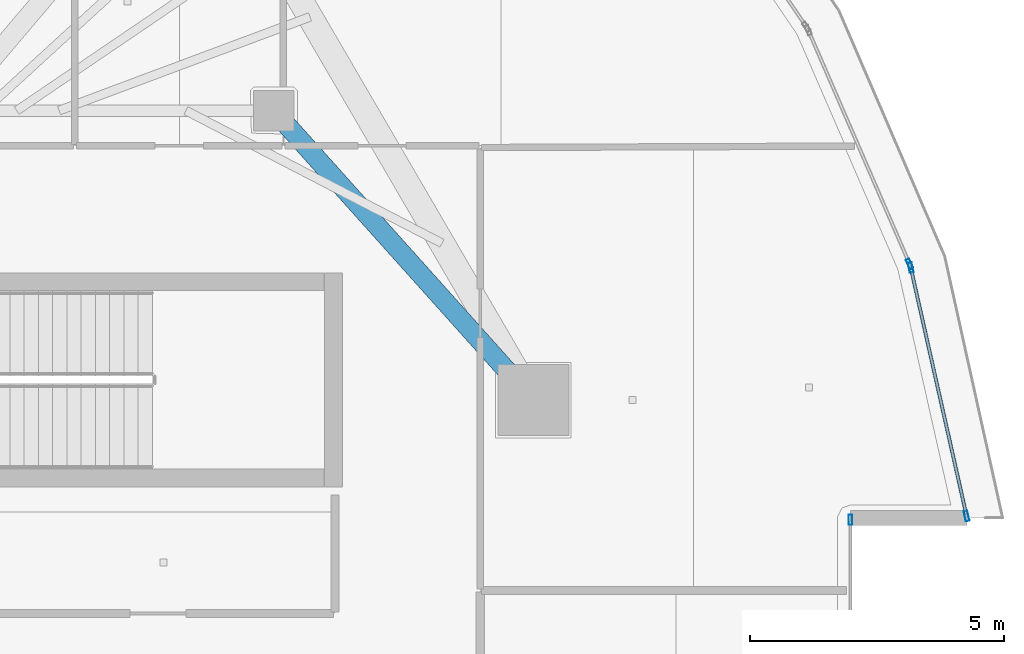
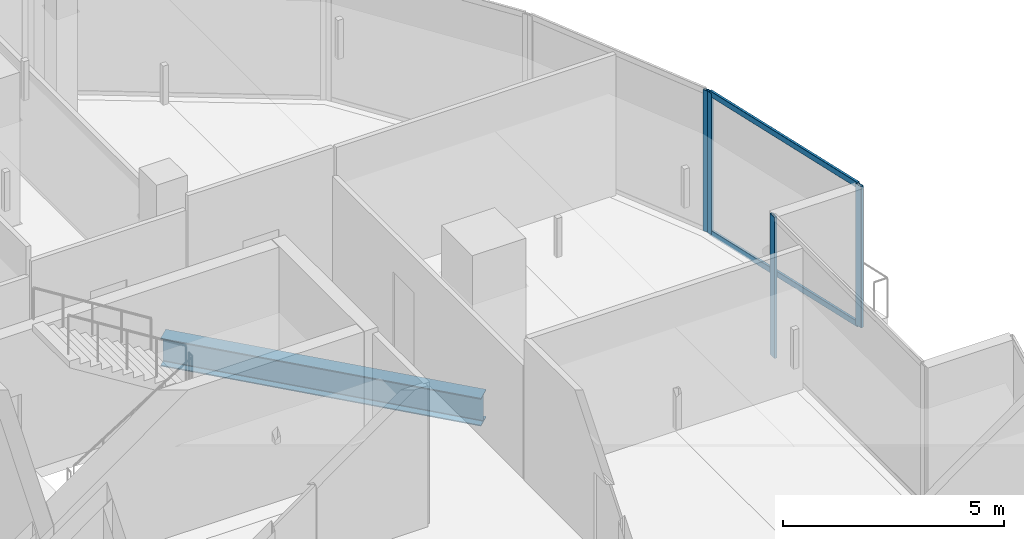
# One storey, part 13 of 30: 6 members, 1 beam, 3 elements without a shape of their own.
"""IFC4 building model written with IfcOpenShell, lengths in metres."""

from ifc_helpers import new_model, si_unit, direction, frame, origin, origin_2d, place, context, subcontext, project, spatial, hollow_rectangle, i_section, extrude, material, layer, layer_set, material_profile, profile_set, type_object, element, aggregate, save


model = new_model("IFC4")

# Units and contexts
model_context = context("Model", 3, precision=1e-05, world=origin(), true_north=direction((0.0, 1.0)))
body_context = subcontext(model_context, "Body", "Model", "MODEL_VIEW")
ifc_project = project(units=[si_unit("LENGTHUNIT", "METRE"), si_unit("AREAUNIT", "SQUARE_METRE"), si_unit("VOLUMEUNIT", "CUBIC_METRE"), si_unit("PLANEANGLEUNIT", "RADIAN"), si_unit("MASSUNIT", "GRAM", prefix="KILO")], contexts=[model_context])

# Site, building, storey
site_placement = place(None, origin())
site = spatial("IfcSite", under=ifc_project, at=site_placement, CompositionType="ELEMENT")
building_placement = place(site_placement, origin())
building = spatial("IfcBuilding", under=site, at=building_placement, Name="Qorvath Tower", CompositionType="ELEMENT")
storey_placement = place(building_placement, frame((0.0, 0.0, 301.800048828125)))
storey = spatial("IfcBuildingStorey", under=building, at=storey_placement, Name="L70", CompositionType="ELEMENT", Elevation=301.800048828125)

# Beam
ifc_material_1 = material(Name="Steel ASTM A992 Grade 50", Category="steel")
ifc_material_profile_1 = material_profile(ifc_material_1, i_section(OverallWidth=0.381103515625, OverallDepth=0.77294921875, WebThickness=0.0166015625, FlangeThickness=0.027099609375, FilletRadius=0.01904296875, at=origin_2d()), Name="W30x173")
ifc_profile_set_1 = profile_set([ifc_material_profile_1], Name="Steel ASTM A992 Grade 50")
beam_type = type_object("IfcBeamType", Name="BM-FG3", PredefinedType="BEAM", material=ifc_profile_set_1)
beam_placement = place(storey_placement, frame((-17.199951171875, 11.449951171875, -0.676513671875), z_axis=(0.667543184261, -0.744571082669, 0.0), x_axis=(0.744571082669, 0.667543184261, 0.0)))
element("IfcBeam", 1, at=beam_placement, inside=storey, type_object=beam_type, Name="Radial Floor Girder CC2-MC5 L70", PredefinedType="BEAM", context=body_context, shape_type="SweptSolid", body=[
    extrude(i_section(OverallWidth=0.381103515625, OverallDepth=0.77294921875, WebThickness=0.0166015625, FlangeThickness=0.027099609375, FilletRadius=0.01904296875, at=origin_2d()), origin(), (0.0, 0.0, 1.0), 7.644775390625),
])

# Curtain wall, member
ifc_material_2 = material(Name="Anodised aluminium and triple low-E glass", Category="aluminium")
ifc_layer = layer(ifc_material_2, 0.179931640625)
ifc_layer_set = layer_set([ifc_layer], Name="CW-SYS-4")
curtain_wall_type = type_object("IfcCurtainWallType", Name="CW-SYS-4", PredefinedType="NOTDEFINED", material=ifc_layer_set)
curtain_wall_1_placement = place(storey_placement, origin())
curtain_wall_1 = element("IfcCurtainWall", 2, at=curtain_wall_1_placement, inside=storey, type_object=curtain_wall_type, Name="Curtain Wall CW-4 CW-T-L70-9.1", PredefinedType="NOTDEFINED")
ifc_material_3 = material(Name="Anodised aluminium 6063-T6", Category="aluminium")
ifc_material_profile_2 = material_profile(ifc_material_3, hollow_rectangle(XDim=0.074951171875, YDim=0.199951171875, WallThickness=0.00390625, InnerFilletRadius=0.00390625, OuterFilletRadius=0.008056640625, at=origin_2d()), Name="CWM 200x75")
ifc_profile_set_2 = profile_set([ifc_material_profile_2], Name="Anodised aluminium 6063-T6")
member_type_1 = type_object("IfcMemberType", Name="CWM-200", PredefinedType="MULLION", material=ifc_profile_set_2)
member_1_placement = place(storey_placement, frame((-5.860595703125, 3.402099609375, 0.0), z_axis=(0.0, 0.0, 1.0), x_axis=(-1.0, 0.0, 0.0)))
member_1 = element("IfcMember", 3, at=member_1_placement, type_object=member_type_1, Name="CW-4 mullion 2", PredefinedType="MULLION", context=body_context, shape_type="SweptSolid", body=[
    extrude(hollow_rectangle(XDim=0.074951171875, YDim=0.199951171875, WallThickness=0.00390625, InnerFilletRadius=0.00390625, OuterFilletRadius=0.008056640625, at=origin_2d()), origin(), (0.0, 0.0, 1.0), 3.909912109375),
])
aggregate(curtain_wall_1, [member_1])

# Curtain wall, members
curtain_wall_2_placement = place(storey_placement, origin())
curtain_wall_2 = element("IfcCurtainWall", 4, at=curtain_wall_2_placement, inside=storey, type_object=curtain_wall_type, Name="Curtain Wall CW-4 CW-T-L70-11.1", PredefinedType="NOTDEFINED")
member_2_placement = place(storey_placement, frame((-3.57568359375, 3.476318359375, 0.0), z_axis=(0.0, 0.0, 1.0), x_axis=(-0.975637441717, -0.21938911167, 0.0)))
member_2 = element("IfcMember", 5, at=member_2_placement, type_object=member_type_1, Name="CW-4 mullion 1", PredefinedType="MULLION", context=body_context, shape_type="SweptSolid", body=[
    extrude(hollow_rectangle(XDim=0.074951171875, YDim=0.199951171875, WallThickness=0.00390625, InnerFilletRadius=0.00390625, OuterFilletRadius=0.008056640625, at=origin_2d()), origin(), (0.0, 0.0, 1.0), 3.909912109375),
])
member_3_placement = place(storey_placement, frame((-4.674560546875, 8.36376953125, 0.0), z_axis=(0.0, 0.0, 1.0), x_axis=(-0.975637441717, -0.21938911167, 0.0)))
member_3 = element("IfcMember", 6, at=member_3_placement, type_object=member_type_1, Name="CW-4 mullion 2", PredefinedType="MULLION", context=body_context, shape_type="SweptSolid", body=[
    extrude(hollow_rectangle(XDim=0.074951171875, YDim=0.199951171875, WallThickness=0.00390625, InnerFilletRadius=0.00390625, OuterFilletRadius=0.008056640625, at=origin_2d()), origin(), (0.0, 0.0, 1.0), 3.909912109375),
])

# Curtain wall, member
curtain_wall_3_placement = place(storey_placement, origin())
curtain_wall_3 = element("IfcCurtainWall", 7, at=curtain_wall_3_placement, inside=storey, type_object=curtain_wall_type, Name="Curtain Wall CW-4 CW-T-L70-12.1", PredefinedType="NOTDEFINED")
member_4_placement = place(storey_placement, frame((-4.69775390625, 8.434814453125, 0.0), z_axis=(0.0, 0.0, 1.0), x_axis=(-0.917541273425, -0.39764055573, 0.0)))
member_4 = element("IfcMember", 8, at=member_4_placement, type_object=member_type_1, Name="CW-4 mullion 1", PredefinedType="MULLION", context=body_context, shape_type="SweptSolid", body=[
    extrude(hollow_rectangle(XDim=0.074951171875, YDim=0.199951171875, WallThickness=0.00390625, InnerFilletRadius=0.00390625, OuterFilletRadius=0.008056640625, at=origin_2d()), origin(), (0.0, 0.0, 1.0), 3.909912109375),
])
aggregate(curtain_wall_3, [member_4])

# Member
ifc_material_4 = material(Name="Anodised aluminium 6063-T6", Category="aluminium")
ifc_material_profile_3 = material_profile(ifc_material_4, hollow_rectangle(XDim=0.06494140625, YDim=0.159912109375, WallThickness=0.00341796875, InnerFilletRadius=0.00341796875, OuterFilletRadius=0.007080078125, at=origin_2d()), Name="CWT 160x65")
ifc_profile_set_3 = profile_set([ifc_material_profile_3], Name="Anodised aluminium 6063-T6")
member_type_2 = type_object("IfcMemberType", Name="CWT-160", PredefinedType="USERDEFINED", material=ifc_profile_set_3)
member_5_placement = place(storey_placement, frame((-3.583740234375, 3.512939453125, 0.032470703125), z_axis=(-0.219428605102, 0.97562856009, 0.0), x_axis=(-0.97562856009, -0.219428605102, 0.0)))
member_5 = element("IfcMember", 9, at=member_5_placement, type_object=member_type_2, Name="CW-4 transom 1.1", ObjectType="TRANSOM", PredefinedType="USERDEFINED", context=body_context, shape_type="SweptSolid", body=[
    extrude(hollow_rectangle(XDim=0.06494140625, YDim=0.159912109375, WallThickness=0.00341796875, InnerFilletRadius=0.00341796875, OuterFilletRadius=0.007080078125, at=origin_2d()), origin(), (0.0, 0.0, 1.0), 4.9345703125),
])

member_6_placement = place(storey_placement, frame((-3.583740234375, 3.512939453125, 3.87744140625), z_axis=(-0.219428605102, 0.97562856009, 0.0), x_axis=(-0.97562856009, -0.219428605102, 0.0)))
member_6 = element("IfcMember", 10, at=member_6_placement, type_object=member_type_2, Name="CW-4 transom 1.2", ObjectType="TRANSOM", PredefinedType="USERDEFINED", context=body_context, shape_type="SweptSolid", body=[
    extrude(hollow_rectangle(XDim=0.06494140625, YDim=0.159912109375, WallThickness=0.00341796875, InnerFilletRadius=0.00341796875, OuterFilletRadius=0.007080078125, at=origin_2d()), origin(), (0.0, 0.0, 1.0), 4.9345703125),
])

aggregate(curtain_wall_2, [member_2, member_3, member_5, member_6])

save(model, "model.ifc")
